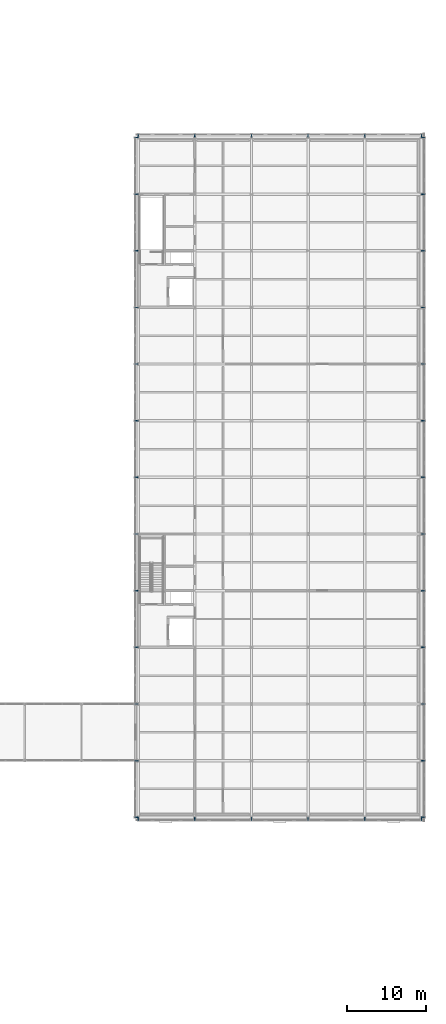
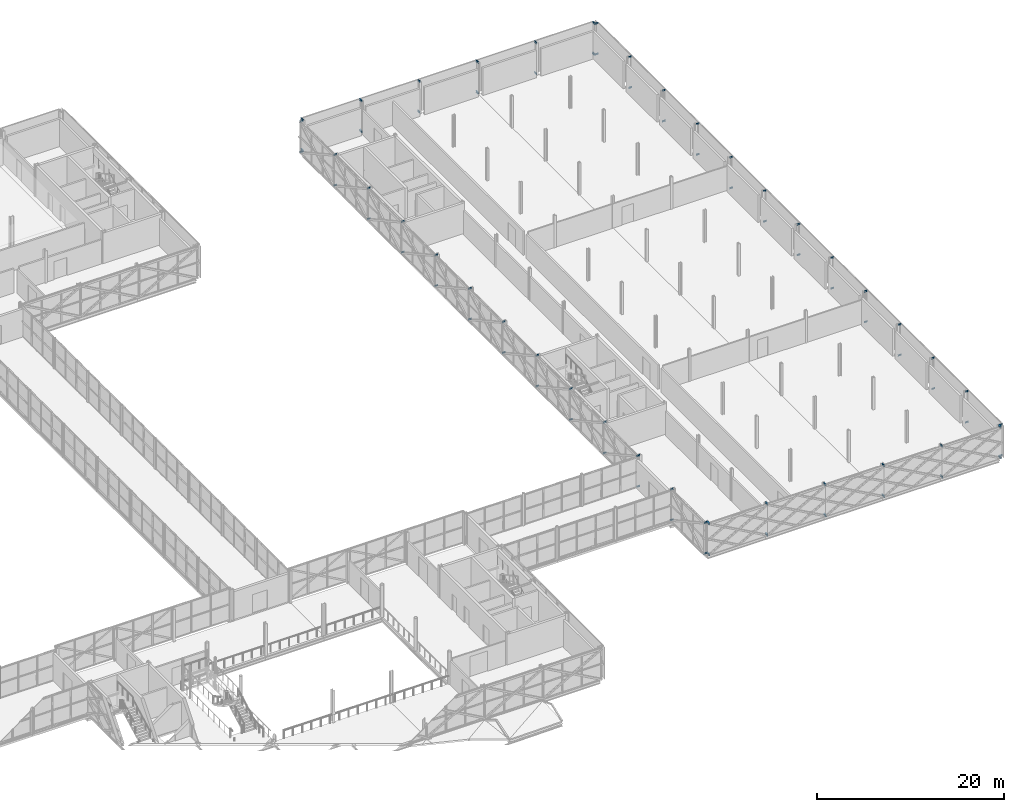
# One storey, part 85 of 146: 76 beams.
"""IFC4 building model written with IfcOpenShell, lengths in metres."""

from ifc_helpers import new_model, si_unit, direction, frame, origin, origin_2d, place, context, subcontext, project, spatial, i_section, extrude, material, material_profile, profile_set, type_object, element, save


model = new_model("IFC4")

# Units and contexts
model_context = context("Model", 3, precision=1e-05, world=origin(), true_north=direction((0.0, 1.0)))
body_context = subcontext(model_context, "Body", "Model", "MODEL_VIEW")
ifc_project = project(units=[si_unit("LENGTHUNIT", "METRE"), si_unit("AREAUNIT", "SQUARE_METRE"), si_unit("VOLUMEUNIT", "CUBIC_METRE"), si_unit("PLANEANGLEUNIT", "RADIAN"), si_unit("MASSUNIT", "GRAM", prefix="KILO")], contexts=[model_context])

# Site, building, storey
site_placement = place(None, origin())
site = spatial("IfcSite", under=ifc_project, at=site_placement, CompositionType="ELEMENT")
building_placement = place(site_placement, origin())
building = spatial("IfcBuilding", under=site, at=building_placement, Name="Zlatovets Crest Museum", CompositionType="ELEMENT")
storey_placement = place(building_placement, frame((0.0, 0.0, 4.5)))
storey = spatial("IfcBuildingStorey", under=building, at=storey_placement, Name="L01", CompositionType="ELEMENT", Elevation=4.5)

# Beams
ifc_material = material(Name="Structural steel S355J2", Category="steel")
ifc_material_profile = material_profile(ifc_material, i_section(OverallWidth=0.10009765625, OverallDepth=0.199951171875, WebThickness=0.005615234375, FlangeThickness=0.008544921875, FilletRadius=0.011962890625, at=origin_2d()), Name="IPE 200")
ifc_profile_set = profile_set([ifc_material_profile], Name="Structural steel S355J2")
beam_type = type_object("IfcBeamType", Name="Beam_PR-02", PredefinedType="LINTEL", material=ifc_profile_set)
for number, where, z_axis, x_axis, name in (
    (1, (129.60009765625, 14.39990234375, 0.10009765625), (0.0, -1.0, 0.0), (1.0, 0.0, 0.0), "Lattice Structural Outrigger Tie"),
    (2, (129.60009765625, 14.39990234375, 4.10009765625), (0.0, -1.0, 0.0), (1.0, 0.0, 0.0), "Lattice Structural Outrigger Tie"),
    (3, (136.800048828125, 14.39990234375, 0.10009765625), (0.0, -1.0, 0.0), (1.0, 0.0, 0.0), "Lattice Structural Outrigger Tie"),
    (4, (136.800048828125, 14.39990234375, 4.10009765625), (0.0, -1.0, 0.0), (1.0, 0.0, 0.0), "Lattice Structural Outrigger Tie"),
    (5, (144.0, 14.39990234375, 0.10009765625), (0.0, -1.0, 0.0), (1.0, 0.0, 0.0), "Lattice Structural Outrigger Tie"),
    (6, (144.0, 14.39990234375, 4.10009765625), (0.0, -1.0, 0.0), (1.0, 0.0, 0.0), "Lattice Structural Outrigger Tie"),
    (7, (151.199951171875, 14.39990234375, 0.10009765625), (0.0, -1.0, 0.0), (1.0, 0.0, 0.0), "Lattice Structural Outrigger Tie"),
    (8, (151.199951171875, 14.39990234375, 4.10009765625), (0.0, -1.0, 0.0), (1.0, 0.0, 0.0), "Lattice Structural Outrigger Tie"),
    (9, (158.39990234375, 14.39990234375, 0.10009765625), (0.0, -1.0, 0.0), (1.0, 0.0, 0.0), "Lattice Structural Outrigger Tie"),
    (10, (158.39990234375, 14.39990234375, 4.10009765625), (0.0, -1.0, 0.0), (1.0, 0.0, 0.0), "Lattice Structural Outrigger Tie"),
    (11, (165.60009765625, 14.39990234375, 0.10009765625), (0.0, -1.0, 0.0), (1.0, 0.0, 0.0), "Lattice Structural Outrigger Tie"),
    (12, (165.60009765625, 14.39990234375, 4.10009765625), (0.0, -1.0, 0.0), (1.0, 0.0, 0.0), "Lattice Structural Outrigger Tie"),
    (13, (165.60009765625, 14.39990234375, 0.10009765625), (1.0, 0.0, 0.0), (0.0, 1.0, 0.0), "Lattice Structural Outrigger Tie"),
    (14, (165.60009765625, 14.39990234375, 4.10009765625), (1.0, 0.0, 0.0), (0.0, 1.0, 0.0), "Lattice Structural Outrigger Tie"),
    (15, (165.60009765625, 21.60009765625, 0.10009765625), (1.0, 0.0, 0.0), (0.0, 1.0, 0.0), "Lattice Structural Outrigger Tie"),
    (16, (165.60009765625, 21.60009765625, 4.10009765625), (1.0, 0.0, 0.0), (0.0, 1.0, 0.0), "Lattice Structural Outrigger Tie"),
    (17, (165.60009765625, 28.800048828125, 0.10009765625), (1.0, 0.0, 0.0), (0.0, 1.0, 0.0), "Lattice Structural Outrigger Tie"),
    (18, (165.60009765625, 28.800048828125, 4.10009765625), (1.0, 0.0, 0.0), (0.0, 1.0, 0.0), "Lattice Structural Outrigger Tie"),
    (19, (165.60009765625, 36.0, 0.10009765625), (1.0, 0.0, 0.0), (0.0, 1.0, 0.0), "Lattice Structural Outrigger Tie"),
    (20, (165.60009765625, 36.0, 4.10009765625), (1.0, 0.0, 0.0), (0.0, 1.0, 0.0), "Lattice Structural Outrigger Tie"),
    (21, (165.60009765625, 43.199951171875, 0.10009765625), (1.0, 0.0, 0.0), (0.0, 1.0, 0.0), "Lattice Structural Outrigger Tie"),
    (22, (165.60009765625, 43.199951171875, 4.10009765625), (1.0, 0.0, 0.0), (0.0, 1.0, 0.0), "Lattice Structural Outrigger Tie"),
    (23, (165.60009765625, 50.39990234375, 0.10009765625), (1.0, 0.0, 0.0), (0.0, 1.0, 0.0), "Lattice Structural Outrigger Tie"),
    (24, (165.60009765625, 50.39990234375, 4.10009765625), (1.0, 0.0, 0.0), (0.0, 1.0, 0.0), "Lattice Structural Outrigger Tie"),
    (25, (165.60009765625, 57.60009765625, 0.10009765625), (1.0, 0.0, 0.0), (0.0, 1.0, 0.0), "Lattice Structural Outrigger Tie"),
    (26, (165.60009765625, 57.60009765625, 4.10009765625), (1.0, 0.0, 0.0), (0.0, 1.0, 0.0), "Lattice Structural Outrigger Tie"),
    (27, (165.60009765625, 64.800048828125, 0.10009765625), (1.0, 0.0, 0.0), (0.0, 1.0, 0.0), "Lattice Structural Outrigger Tie"),
    (28, (165.60009765625, 64.800048828125, 4.10009765625), (1.0, 0.0, 0.0), (0.0, 1.0, 0.0), "Lattice Structural Outrigger Tie"),
    (29, (165.60009765625, 72.0, 0.10009765625), (1.0, 0.0, 0.0), (0.0, 1.0, 0.0), "Lattice Structural Outrigger Tie"),
    (30, (165.60009765625, 72.0, 4.10009765625), (1.0, 0.0, 0.0), (0.0, 1.0, 0.0), "Lattice Structural Outrigger Tie"),
    (31, (165.60009765625, 79.199951171875, 0.10009765625), (1.0, 0.0, 0.0), (0.0, 1.0, 0.0), "Lattice Structural Outrigger Tie"),
    (32, (165.60009765625, 79.199951171875, 4.10009765625), (1.0, 0.0, 0.0), (0.0, 1.0, 0.0), "Lattice Structural Outrigger Tie"),
    (33, (165.60009765625, 86.39990234375, 0.10009765625), (1.0, 0.0, 0.0), (0.0, 1.0, 0.0), "Lattice Structural Outrigger Tie"),
    (34, (165.60009765625, 86.39990234375, 4.10009765625), (1.0, 0.0, 0.0), (0.0, 1.0, 0.0), "Lattice Structural Outrigger Tie"),
    (35, (165.60009765625, 93.60009765625, 0.10009765625), (1.0, 0.0, 0.0), (0.0, 1.0, 0.0), "Lattice Structural Outrigger Tie"),
    (36, (165.60009765625, 93.60009765625, 4.10009765625), (1.0, 0.0, 0.0), (0.0, 1.0, 0.0), "Lattice Structural Outrigger Tie"),
    (37, (165.60009765625, 100.800048828125, 0.10009765625), (1.0, 0.0, 0.0), (0.0, 1.0, 0.0), "Lattice Structural Outrigger Tie"),
    (38, (165.60009765625, 100.800048828125, 4.10009765625), (1.0, 0.0, 0.0), (0.0, 1.0, 0.0), "Lattice Structural Outrigger Tie"),
    (39, (165.60009765625, 100.800048828125, 0.10009765625), (0.0, 1.0, 0.0), (-1.0, 0.0, 0.0), "Lattice Structural Outrigger Tie"),
    (40, (165.60009765625, 100.800048828125, 4.10009765625), (0.0, 1.0, 0.0), (-1.0, 0.0, 0.0), "Lattice Structural Outrigger Tie"),
    (41, (158.39990234375, 100.800048828125, 0.10009765625), (0.0, 1.0, 0.0), (-1.0, 0.0, 0.0), "Lattice Structural Outrigger Tie"),
    (42, (158.39990234375, 100.800048828125, 4.10009765625), (0.0, 1.0, 0.0), (-1.0, 0.0, 0.0), "Lattice Structural Outrigger Tie"),
    (43, (151.199951171875, 100.800048828125, 0.10009765625), (0.0, 1.0, 0.0), (-1.0, 0.0, 0.0), "Lattice Structural Outrigger Tie"),
    (44, (151.199951171875, 100.800048828125, 4.10009765625), (0.0, 1.0, 0.0), (-1.0, 0.0, 0.0), "Lattice Structural Outrigger Tie"),
    (45, (144.0, 100.800048828125, 0.10009765625), (0.0, 1.0, 0.0), (-1.0, 0.0, 0.0), "Lattice Structural Outrigger Tie"),
    (46, (144.0, 100.800048828125, 4.10009765625), (0.0, 1.0, 0.0), (-1.0, 0.0, 0.0), "Lattice Structural Outrigger Tie"),
    (47, (136.800048828125, 100.800048828125, 0.10009765625), (0.0, 1.0, 0.0), (-1.0, 0.0, 0.0), "Lattice Structural Outrigger Tie"),
    (48, (136.800048828125, 100.800048828125, 4.10009765625), (0.0, 1.0, 0.0), (-1.0, 0.0, 0.0), "Lattice Structural Outrigger Tie"),
    (49, (129.60009765625, 100.800048828125, 0.10009765625), (0.0, 1.0, 0.0), (-1.0, 0.0, 0.0), "Lattice Structural Outrigger Tie"),
    (50, (129.60009765625, 100.800048828125, 4.10009765625), (0.0, 1.0, 0.0), (-1.0, 0.0, 0.0), "Lattice Structural Outrigger Tie"),
):
    element("IfcBeam", number, at=place(storey_placement, frame(where, z_axis=z_axis, x_axis=x_axis)), inside=storey, type_object=beam_type, Name=name, PredefinedType="LINTEL", context=body_context, shape_type="SweptSolid", body=[
        extrude(i_section(OverallWidth=0.10009765625, OverallDepth=0.199951171875, WebThickness=0.005615234375, FlangeThickness=0.008544921875, FilletRadius=0.011962890625, at=origin_2d()), origin(), (0.0, 0.0, 1.0), 0.419921875),
    ])
for number, where, z_axis, x_axis, name in (
    (51, (129.60009765625, 100.800048828125, 0.10009765625), (-1.0, 0.0, 0.0), (0.0, -1.0, 0.0), "Lattice Structural Outrigger Tie"),
    (52, (129.60009765625, 100.800048828125, 4.10009765625), (-1.0, 0.0, 0.0), (0.0, -1.0, 0.0), "Lattice Structural Outrigger Tie"),
    (53, (129.60009765625, 93.60009765625, 0.10009765625), (-1.0, 0.0, 0.0), (0.0, -1.0, 0.0), "Lattice Structural Outrigger Tie"),
    (54, (129.60009765625, 93.60009765625, 4.10009765625), (-1.0, 0.0, 0.0), (0.0, -1.0, 0.0), "Lattice Structural Outrigger Tie"),
    (55, (129.60009765625, 86.39990234375, 0.10009765625), (-1.0, 0.0, 0.0), (0.0, -1.0, 0.0), "Lattice Structural Outrigger Tie"),
    (56, (129.60009765625, 86.39990234375, 4.10009765625), (-1.0, 0.0, 0.0), (0.0, -1.0, 0.0), "Lattice Structural Outrigger Tie"),
    (57, (129.60009765625, 79.199951171875, 0.10009765625), (-1.0, 0.0, 0.0), (0.0, -1.0, 0.0), "Lattice Structural Outrigger Tie"),
    (58, (129.60009765625, 79.199951171875, 4.10009765625), (-1.0, 0.0, 0.0), (0.0, -1.0, 0.0), "Lattice Structural Outrigger Tie"),
    (59, (129.60009765625, 72.0, 0.10009765625), (-1.0, 0.0, 0.0), (0.0, -1.0, 0.0), "Lattice Structural Outrigger Tie"),
    (60, (129.60009765625, 72.0, 4.10009765625), (-1.0, 0.0, 0.0), (0.0, -1.0, 0.0), "Lattice Structural Outrigger Tie"),
    (61, (129.60009765625, 64.800048828125, 0.10009765625), (-1.0, 0.0, 0.0), (0.0, -1.0, 0.0), "Lattice Structural Outrigger Tie"),
    (62, (129.60009765625, 64.800048828125, 4.10009765625), (-1.0, 0.0, 0.0), (0.0, -1.0, 0.0), "Lattice Structural Outrigger Tie"),
    (63, (129.60009765625, 57.60009765625, 0.10009765625), (-1.0, 0.0, 0.0), (0.0, -1.0, 0.0), "Lattice Structural Outrigger Tie"),
    (64, (129.60009765625, 57.60009765625, 4.10009765625), (-1.0, 0.0, 0.0), (0.0, -1.0, 0.0), "Lattice Structural Outrigger Tie"),
    (65, (129.60009765625, 50.39990234375, 0.10009765625), (-1.0, 0.0, 0.0), (0.0, -1.0, 0.0), "Lattice Structural Outrigger Tie"),
    (66, (129.60009765625, 50.39990234375, 4.10009765625), (-1.0, 0.0, 0.0), (0.0, -1.0, 0.0), "Lattice Structural Outrigger Tie"),
    (67, (129.60009765625, 43.199951171875, 0.10009765625), (-1.0, 0.0, 0.0), (0.0, -1.0, 0.0), "Lattice Structural Outrigger Tie"),
    (68, (129.60009765625, 43.199951171875, 4.10009765625), (-1.0, 0.0, 0.0), (0.0, -1.0, 0.0), "Lattice Structural Outrigger Tie"),
    (69, (129.60009765625, 36.0, 0.10009765625), (-1.0, 0.0, 0.0), (0.0, -1.0, 0.0), "Lattice Structural Outrigger Tie"),
    (70, (129.60009765625, 36.0, 4.10009765625), (-1.0, 0.0, 0.0), (0.0, -1.0, 0.0), "Lattice Structural Outrigger Tie"),
    (71, (129.60009765625, 28.800048828125, 0.10009765625), (-1.0, 0.0, 0.0), (0.0, -1.0, 0.0), "Lattice Structural Outrigger Tie"),
    (72, (129.60009765625, 28.800048828125, 4.10009765625), (-1.0, 0.0, 0.0), (0.0, -1.0, 0.0), "Lattice Structural Outrigger Tie"),
    (73, (129.60009765625, 21.60009765625, 0.10009765625), (-1.0, 0.0, 0.0), (0.0, -1.0, 0.0), "Lattice Structural Outrigger Tie"),
    (74, (129.60009765625, 21.60009765625, 4.10009765625), (-1.0, 0.0, 0.0), (0.0, -1.0, 0.0), "Lattice Structural Outrigger Tie"),
    (75, (129.60009765625, 14.39990234375, 0.10009765625), (-1.0, 0.0, 0.0), (0.0, -1.0, 0.0), "Lattice Structural Outrigger Tie"),
    (76, (129.60009765625, 14.39990234375, 4.10009765625), (-1.0, 0.0, 0.0), (0.0, -1.0, 0.0), "Lattice Structural Outrigger Tie"),
):
    element("IfcBeam", number, at=place(storey_placement, frame(where, z_axis=z_axis, x_axis=x_axis)), inside=storey, type_object=beam_type, Name=name, PredefinedType="LINTEL", context=body_context, shape_type="SweptSolid", body=[
        extrude(i_section(OverallWidth=0.10009765625, OverallDepth=0.199951171875, WebThickness=0.005615234375, FlangeThickness=0.008544921875, FilletRadius=0.011962890625, at=origin_2d()), origin(), (0.0, 0.0, 1.0), 0.420166015625),
    ])

save(model, "model.ifc")
